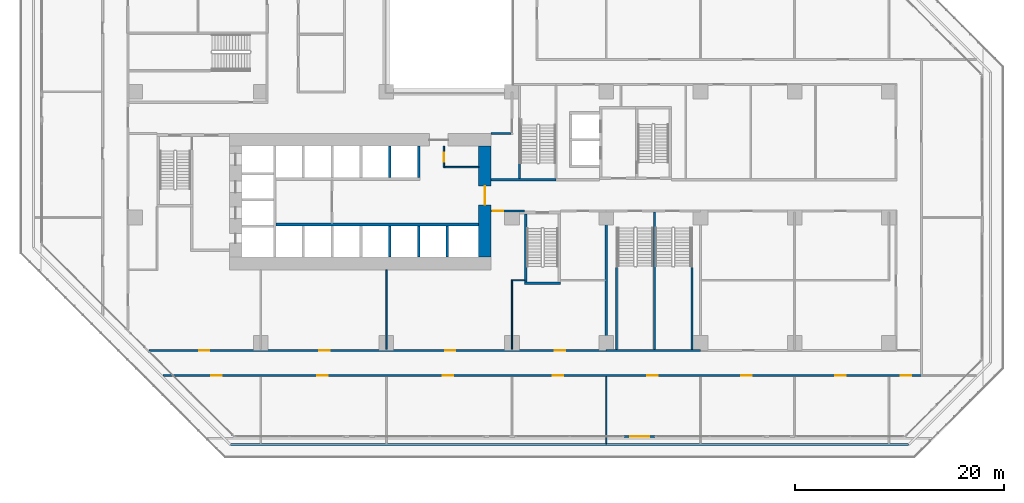
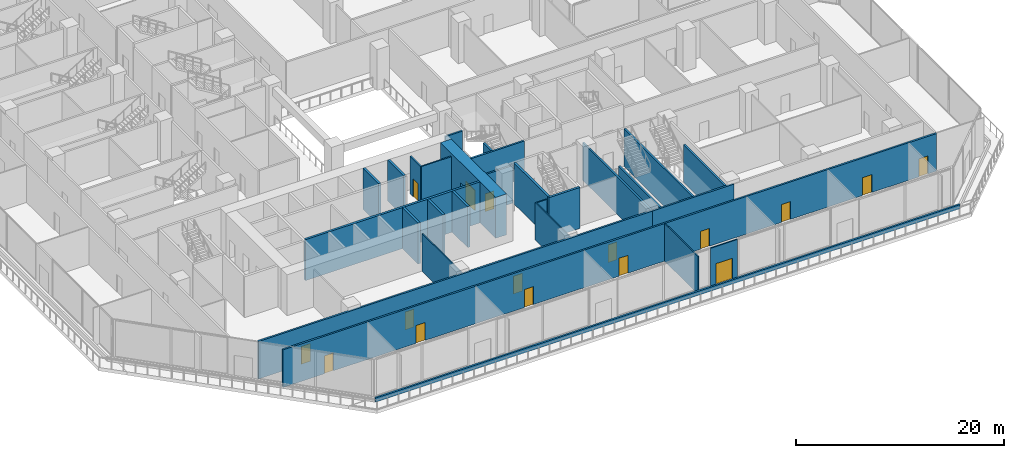
# One storey, part 13 of 26: 28 walls, 16 doors, 16 openings.
"""IFC4 building model written with IfcOpenShell, lengths in metres."""

from ifc_helpers import new_model, si_unit, direction, frame, frame_2d, origin, place, context, subcontext, project, spatial, rectangle, extrude, material, layer, layer_set, type_object, element, fill, save


model = new_model("IFC4")

# Units and contexts
model_context = context("Model", 3, precision=1e-05, world=origin(), true_north=direction((0.0, 1.0)))
body_context = subcontext(model_context, "Body", "Model", "MODEL_VIEW")
ifc_project = project(units=[si_unit("LENGTHUNIT", "METRE"), si_unit("AREAUNIT", "SQUARE_METRE"), si_unit("VOLUMEUNIT", "CUBIC_METRE"), si_unit("PLANEANGLEUNIT", "RADIAN"), si_unit("MASSUNIT", "GRAM", prefix="KILO")], contexts=[model_context])

# Site, building, storey
site_placement = place(None, origin())
site = spatial("IfcSite", under=ifc_project, at=site_placement, CompositionType="ELEMENT")
building_placement = place(site_placement, origin())
building = spatial("IfcBuilding", under=site, at=building_placement, Name="Chenar Terraces", CompositionType="ELEMENT")
storey_placement = place(building_placement, frame((0.0, 0.0, 16.800048828125)))
storey = spatial("IfcBuildingStorey", under=building, at=storey_placement, Name="L03", CompositionType="ELEMENT", Elevation=16.800048828125)

# Walls
ifc_material_1 = material(Name="Gypsum board on steel studs with mineral wool", Category="steel")
ifc_layer_1 = layer(ifc_material_1, 0.125)
ifc_layer_set_1 = layer_set([ifc_layer_1], Name="Gypsum board on steel studs with mineral wool")
wall_type_1 = type_object("IfcWallType", Name="Acoustic partition 125", PredefinedType="PARTITIONING", material=ifc_layer_set_1)
wall_1_placement = place(storey_placement, frame((24.0, -0.60009765625, 0.0), z_axis=(0.0, 0.0, 1.0), x_axis=(0.0, 1.0, 0.0)))
element("IfcWall", 1, at=wall_1_placement, inside=storey, type_object=wall_type_1, Name="Partition L03-066", PredefinedType="PARTITIONING", context=body_context, shape_type="SweptSolid", body=[
    extrude(rectangle(XDim=7.60009765625, YDim=0.125, at=frame_2d((3.800048828125, 0.0))), origin(), (0.0, 0.0, 1.0), 4.39990234375),
])
wall_2_placement = place(storey_placement, frame((36.0, -0.60009765625, 0.0), z_axis=(0.0, 0.0, 1.0), x_axis=(0.0, 1.0, 0.0)))
element("IfcWall", 2, at=wall_2_placement, inside=storey, type_object=wall_type_1, Name="Partition L03-077", PredefinedType="PARTITIONING", context=body_context, shape_type="SweptSolid", body=[
    extrude(rectangle(XDim=6.662109375, YDim=0.125, at=frame_2d((3.3310546875, 0.0))), origin(), (0.0, 0.0, 1.0), 4.39990234375),
])
wall_3_placement = place(storey_placement, frame((36.06201171875, 6.0, 0.0), z_axis=(0.0, 0.0, 1.0), x_axis=(1.0, 0.0, 0.0)))
element("IfcWall", 3, at=wall_3_placement, inside=storey, type_object=wall_type_1, Name="Partition L03-082", PredefinedType="PARTITIONING", context=body_context, shape_type="SweptSolid", body=[
    extrude(rectangle(XDim=1.137939453125, YDim=0.125, at=frame_2d((0.56884765625, 0.0))), origin(), (0.0, 0.0, 1.0), 4.39990234375),
])
wall_4_placement = place(storey_placement, frame((45.0, -9.60009765625, 0.0), z_axis=(0.0, 0.0, 1.0), x_axis=(0.0, 1.0, 0.0)))
element("IfcWall", 4, at=wall_4_placement, inside=storey, type_object=wall_type_1, Name="Partition L03-091", PredefinedType="PARTITIONING", context=body_context, shape_type="SweptSolid", body=[
    extrude(rectangle(XDim=6.400146484375, YDim=0.125, at=frame_2d((3.2001953125, 0.0))), origin(), (0.0, 0.0, 1.0), 4.39990234375),
])

# Wall, opening, door
ifc_material_2 = material(Name="Gypsum board on steel studs", Category="steel")
ifc_layer_2 = layer(ifc_material_2, 0.14990234375)
ifc_layer_set_2 = layer_set([ifc_layer_2], Name="Gypsum board on steel studs")
wall_type_2 = type_object("IfcWallType", Name="Core partition 150 gypsum board", PredefinedType="PARTITIONING", material=ifc_layer_set_2)
wall_5_placement = place(storey_placement, frame((29.5, 16.800048828125, 0.0), z_axis=(0.0, 0.0, 1.0), x_axis=(0.0, 1.0, 0.0)))
wall_5 = element("IfcWall", 5, at=wall_5_placement, inside=storey, type_object=wall_type_2, Name="Core partition CP1 vestibule room west wall", PredefinedType="PARTITIONING", context=body_context, shape_type="SweptSolid", body=[
    extrude(rectangle(XDim=2.0, YDim=0.14990234375, at=frame_2d((1.0, 0.0))), origin(), (0.0, 0.0, 1.0), 4.39990234375),
])
opening_1_placement = place(wall_5_placement, frame((0.5, 0.0, 0.0)))
opening_1 = element("IfcOpeningElement", 6, at=opening_1_placement, cuts=wall_5, Name="Opening DL03-C13", PredefinedType="OPENING", context=body_context, shape_type="SweptSolid", body=[
    extrude(rectangle(XDim=0.89990234375, YDim=2.10009765625, at=frame_2d((0.449951171875, 1.050048828125))), frame((0.0, 0.0849609375, 0.0), z_axis=(0.0, -1.0, 0.0), x_axis=(1.0, 0.0, 0.0)), (0.0, 0.0, 1.0), 0.169921875),
])
ifc_material_3 = material(Name="Steel-framed fire-resisting door leaf", Category="steel")
door_type_1 = type_object("IfcDoorType", Name="Riser fire door FD60 900 x 2100", OperationType="SINGLE_SWING_LEFT", PredefinedType="DOOR", material=ifc_material_3)
door_1_placement = place(opening_1_placement, frame((0.89990234375, 0.0, 0.0), z_axis=(0.0, 0.0, 1.0), x_axis=(-1.0, 0.0, 0.0)))
door_1 = element("IfcDoor", 7, at=door_1_placement, inside=storey, type_object=door_type_1, Name="Core room door DL03-C13", OperationType="SINGLE_SWING_RIGHT", OverallHeight=2.10009765625, OverallWidth=0.89990234375, PredefinedType="DOOR", context=body_context, shape_type="SweptSolid", body=[
    extrude(rectangle(XDim=0.89990234375, YDim=2.10009765625, at=frame_2d((0.449951171875, 1.050048828125))), frame((0.0, 0.02490234375, 0.0), z_axis=(0.0, -1.0, 0.0), x_axis=(1.0, 0.0, 0.0)), (0.0, 0.0, 1.0), 0.050048828125),
])
fill(opening_1, door_1)

# Wall
wall_6_placement = place(storey_placement, frame((29.5, 16.800048828125, 0.0), z_axis=(0.0, 0.0, 1.0), x_axis=(1.0, 0.0, 0.0)))
element("IfcWall", 8, at=wall_6_placement, inside=storey, type_object=wall_type_2, Name="Core partition CP1 vestibule room south wall", PredefinedType="PARTITIONING", context=body_context, shape_type="SweptSolid", body=[
    extrude(rectangle(XDim=3.300048828125, YDim=0.14990234375, at=frame_2d((1.64990234375, 0.0))), origin(), (0.0, 0.0, 1.0), 4.39990234375),
])

# Wall, opening, door
ifc_material_4 = material(Name="Concrete C70/85", Category="concrete")
ifc_layer_3 = layer(ifc_material_4, 1.199951171875)
ifc_layer_set_3 = layer_set([ifc_layer_3], Name="Concrete C70/85")
wall_type_3 = type_object("IfcWallType", Name="Core wall 1200 Concrete C70/85", PredefinedType="SHEAR", material=ifc_layer_set_3)
wall_7_placement = place(storey_placement, frame((33.39990234375, 8.199951171875, 0.0), z_axis=(0.0, 0.0, 1.0), x_axis=(0.0, 1.0, 0.0)))
wall_7 = element("IfcWall", 9, at=wall_7_placement, inside=storey, type_object=wall_type_3, Name="Core wall E L03", PredefinedType="SHEAR", context=body_context, shape_type="SweptSolid", body=[
    extrude(rectangle(XDim=10.60009765625, YDim=1.199951171875, at=frame_2d((5.300048828125, 0.0))), origin(), (0.0, 0.0, 1.0), 4.800048828125),
])
opening_2_placement = place(wall_7_placement, frame((5.0, 0.0, 0.0)))
opening_2 = element("IfcOpeningElement", 10, at=opening_2_placement, cuts=wall_7, Name="Opening DL03-C1", PredefinedType="OPENING", context=body_context, shape_type="SweptSolid", body=[
    extrude(rectangle(XDim=1.800048828125, YDim=2.39990234375, at=frame_2d((0.89990234375, 1.199951171875))), frame((0.0, 0.60986328125, 0.0), z_axis=(0.0, -1.0, 0.0), x_axis=(1.0, 0.0, 0.0)), (0.0, 0.0, 1.0), 1.219970703125),
])
ifc_material_5 = material(Name="Steel-framed fire-resisting door leaf", Category="steel")
door_type_2 = type_object("IfcDoorType", Name="Core entrance double fire door FD60 1800 x 2400", OperationType="DOUBLE_DOOR_SINGLE_SWING", PredefinedType="DOOR", material=ifc_material_5)
door_2_placement = place(opening_2_placement, origin())
door_2 = element("IfcDoor", 11, at=door_2_placement, inside=storey, type_object=door_type_2, Name="Core door DL03-C1", OperationType="DOUBLE_DOOR_SINGLE_SWING", OverallHeight=2.39990234375, OverallWidth=1.800048828125, PredefinedType="DOOR", context=body_context, shape_type="SweptSolid", body=[
    extrude(rectangle(XDim=1.800048828125, YDim=2.39990234375, at=frame_2d((0.89990234375, 1.199951171875))), frame((0.0, 0.02490234375, 0.0), z_axis=(0.0, -1.0, 0.0), x_axis=(1.0, 0.0, 0.0)), (0.0, 0.0, 1.0), 0.050048828125),
])
fill(opening_2, door_2)

# Walls
ifc_material_6 = material(Name="Concrete C70/85", Category="concrete")
ifc_layer_4 = layer(ifc_material_6, 0.25)
ifc_layer_set_4 = layer_set([ifc_layer_4], Name="Concrete C70/85")
wall_type_4 = type_object("IfcWallType", Name="Core wall 250 Concrete C70/85", PredefinedType="SHEAR", material=ifc_layer_set_4)
wall_8_placement = place(storey_placement, frame((13.449951171875, 11.324951171875, 0.0), z_axis=(0.0, 0.0, 1.0), x_axis=(1.0, 0.0, 0.0)))
element("IfcWall", 12, at=wall_8_placement, inside=storey, type_object=wall_type_4, Name="Core wall SF L03", PredefinedType="SHEAR", context=body_context, shape_type="SweptSolid", body=[
    extrude(rectangle(XDim=19.35009765625, YDim=0.25, at=frame_2d((9.675048828125, 0.0))), origin(), (0.0, 0.0, 1.0), 4.800048828125),
])
for number, where, z_axis, x_axis, name in (
    (13, (24.324951171875, 8.199951171875, 0.0), (0.0, 0.0, 1.0), (0.0, 1.0, 0.0), "Core wall SS3 L03"),
    (14, (27.074951171875, 8.199951171875, 0.0), (0.0, 0.0, 1.0), (0.0, 1.0, 0.0), "Core wall SS4 L03"),
    (15, (29.824951171875, 8.199951171875, 0.0), (0.0, 0.0, 1.0), (0.0, 1.0, 0.0), "Core wall SS5 L03"),
    (16, (24.324951171875, 15.800048828125, 0.0), (0.0, 0.0, 1.0), (0.0, 1.0, 0.0), "Core wall NS3 L03"),
    (17, (27.074951171875, 15.800048828125, 0.0), (0.0, 0.0, 1.0), (0.0, 1.0, 0.0), "Core wall NE L03"),
):
    element("IfcWall", number, at=place(storey_placement, frame(where, z_axis=z_axis, x_axis=x_axis)), inside=storey, type_object=wall_type_4, Name=name, PredefinedType="SHEAR", context=body_context, shape_type="SweptSolid", body=[
        extrude(rectangle(XDim=3.0, YDim=0.25, at=frame_2d((1.5, 0.0))), origin(), (0.0, 0.0, 1.0), 4.800048828125),
    ])
wall_9_placement = place(storey_placement, frame((37.199951171875, 5.72509765625, 0.0), z_axis=(0.0, 0.0, 1.0), x_axis=(1.0, 0.0, 0.0)))
element("IfcWall", 18, at=wall_9_placement, inside=storey, type_object=wall_type_4, Name="Core wall ST2_S L03", PredefinedType="SHEAR", context=body_context, shape_type="SweptSolid", body=[
    extrude(rectangle(XDim=3.449951171875, YDim=0.25, at=frame_2d((1.72509765625, 0.0))), origin(), (0.0, 0.0, 1.0), 4.800048828125),
])
wall_10_placement = place(storey_placement, frame((37.324951171875, 5.85009765625, 0.0), z_axis=(0.0, 0.0, 1.0), x_axis=(0.0, 1.0, 0.0)))
element("IfcWall", 19, at=wall_10_placement, inside=storey, type_object=wall_type_4, Name="Core wall ST2_W L03", PredefinedType="SHEAR", context=body_context, shape_type="SweptSolid", body=[
    extrude(rectangle(XDim=6.5, YDim=0.25, at=frame_2d((3.25, 0.0))), origin(), (0.0, 0.0, 1.0), 4.800048828125),
])

# Wall, openings, doors
ifc_material_7 = material(Name="Gypsum board on steel studs with fire boards", Category="steel")
ifc_layer_5 = layer(ifc_material_7, 0.199951171875)
ifc_layer_set_5 = layer_set([ifc_layer_5], Name="Gypsum board on steel studs with fire boards")
wall_type_5 = type_object("IfcWallType", Name="Corridor wall 200", PredefinedType="PARTITIONING", material=ifc_layer_set_5)
wall_11_placement = place(storey_placement, frame((1.303955078125, -0.699951171875, 0.0), z_axis=(0.0, 0.0, 1.0), x_axis=(1.0, 0.0, 0.0)))
wall_11 = element("IfcWall", 20, at=wall_11_placement, inside=storey, type_object=wall_type_5, Name="Partition L03-030", PredefinedType="PARTITIONING", context=body_context, shape_type="SweptSolid", body=[
    extrude(rectangle(XDim=43.696044921875, YDim=0.199951171875, at=frame_2d((21.84814453125, 0.0))), origin(), (0.0, 0.0, 1.0), 4.39990234375),
])
opening_3_placement = place(wall_11_placement, frame((38.7958984375, 0.0, 0.0)))
opening_3 = element("IfcOpeningElement", 21, at=opening_3_placement, cuts=wall_11, Name="Opening DL03-9", PredefinedType="OPENING", context=body_context, shape_type="SweptSolid", body=[
    extrude(rectangle(XDim=1.0, YDim=2.10009765625, at=frame_2d((0.5, 1.050048828125))), frame((0.0, 0.10986328125, 0.0), z_axis=(0.0, -1.0, 0.0), x_axis=(1.0, 0.0, 0.0)), (0.0, 0.0, 1.0), 0.219970703125),
])
opening_4_placement = place(wall_11_placement, frame((4.7958984375, 0.0, 0.0)))
opening_4 = element("IfcOpeningElement", 22, at=opening_4_placement, cuts=wall_11, Name="Opening DL03-40", PredefinedType="OPENING", context=body_context, shape_type="SweptSolid", body=[
    extrude(rectangle(XDim=1.0, YDim=2.10009765625, at=frame_2d((0.5, 1.050048828125))), frame((0.0, 0.10986328125, 0.0), z_axis=(0.0, -1.0, 0.0), x_axis=(1.0, 0.0, 0.0)), (0.0, 0.0, 1.0), 0.219970703125),
])
opening_5_placement = place(wall_11_placement, frame((16.2958984375, 0.0, 0.0)))
opening_5 = element("IfcOpeningElement", 23, at=opening_5_placement, cuts=wall_11, Name="Opening DL03-42", PredefinedType="OPENING", context=body_context, shape_type="SweptSolid", body=[
    extrude(rectangle(XDim=1.0, YDim=2.10009765625, at=frame_2d((0.5, 1.050048828125))), frame((0.0, 0.10986328125, 0.0), z_axis=(0.0, -1.0, 0.0), x_axis=(1.0, 0.0, 0.0)), (0.0, 0.0, 1.0), 0.219970703125),
])
opening_6_placement = place(wall_11_placement, frame((28.2958984375, 0.0, 0.0)))
opening_6 = element("IfcOpeningElement", 24, at=opening_6_placement, cuts=wall_11, Name="Opening DL03-43", PredefinedType="OPENING", context=body_context, shape_type="SweptSolid", body=[
    extrude(rectangle(XDim=1.0, YDim=2.10009765625, at=frame_2d((0.5, 1.050048828125))), frame((0.0, 0.10986328125, 0.0), z_axis=(0.0, -1.0, 0.0), x_axis=(1.0, 0.0, 0.0)), (0.0, 0.0, 1.0), 0.219970703125),
])
ifc_material_8 = material(Name="Steel-framed fire-resisting door leaf", Category="steel")
door_type_3 = type_object("IfcDoorType", Name="Fire door FD60 1000 x 2100", OperationType="SINGLE_SWING_LEFT", PredefinedType="DOOR", material=ifc_material_8)
door_3_placement = place(opening_3_placement, origin())
door_3 = element("IfcDoor", 25, at=door_3_placement, inside=storey, type_object=door_type_3, Name="Door DL03-9", OperationType="SINGLE_SWING_RIGHT", OverallHeight=2.10009765625, OverallWidth=1.0, PredefinedType="DOOR", context=body_context, shape_type="SweptSolid", body=[
    extrude(rectangle(XDim=1.0, YDim=2.10009765625, at=frame_2d((0.5, 1.050048828125))), frame((0.0, 0.02490234375, 0.0), z_axis=(0.0, -1.0, 0.0), x_axis=(1.0, 0.0, 0.0)), (0.0, 0.0, 1.0), 0.050048828125),
])
fill(opening_3, door_3)
door_4_placement = place(opening_4_placement, origin())
door_4 = element("IfcDoor", 26, at=door_4_placement, inside=storey, type_object=door_type_3, Name="Door DL03-40", OperationType="SINGLE_SWING_RIGHT", OverallHeight=2.10009765625, OverallWidth=1.0, PredefinedType="DOOR", context=body_context, shape_type="SweptSolid", body=[
    extrude(rectangle(XDim=1.0, YDim=2.10009765625, at=frame_2d((0.5, 1.050048828125))), frame((0.0, 0.02490234375, 0.0), z_axis=(0.0, -1.0, 0.0), x_axis=(1.0, 0.0, 0.0)), (0.0, 0.0, 1.0), 0.050048828125),
])
fill(opening_4, door_4)
door_5_placement = place(opening_5_placement, origin())
door_5 = element("IfcDoor", 27, at=door_5_placement, inside=storey, type_object=door_type_3, Name="Door DL03-42", OperationType="SINGLE_SWING_LEFT", OverallHeight=2.10009765625, OverallWidth=1.0, PredefinedType="DOOR", context=body_context, shape_type="SweptSolid", body=[
    extrude(rectangle(XDim=1.0, YDim=2.10009765625, at=frame_2d((0.5, 1.050048828125))), frame((0.0, 0.02490234375, 0.0), z_axis=(0.0, -1.0, 0.0), x_axis=(1.0, 0.0, 0.0)), (0.0, 0.0, 1.0), 0.050048828125),
])
fill(opening_5, door_5)
door_6_placement = place(opening_6_placement, origin())
door_6 = element("IfcDoor", 28, at=door_6_placement, inside=storey, type_object=door_type_3, Name="Door DL03-43", OperationType="SINGLE_SWING_LEFT", OverallHeight=2.10009765625, OverallWidth=1.0, PredefinedType="DOOR", context=body_context, shape_type="SweptSolid", body=[
    extrude(rectangle(XDim=1.0, YDim=2.10009765625, at=frame_2d((0.5, 1.050048828125))), frame((0.0, 0.02490234375, 0.0), z_axis=(0.0, -1.0, 0.0), x_axis=(1.0, 0.0, 0.0)), (0.0, 0.0, 1.0), 0.050048828125),
])
fill(opening_6, door_6)

wall_12_placement = place(storey_placement, frame((2.64501953125, -3.10009765625, 0.0), z_axis=(0.0, 0.0, 1.0), x_axis=(1.0, 0.0, 0.0)))
wall_12 = element("IfcWall", 29, at=wall_12_placement, inside=storey, type_object=wall_type_5, Name="Partition L03-032", PredefinedType="PARTITIONING", context=body_context, shape_type="SweptSolid", body=[
    extrude(rectangle(XDim=72.455078125, YDim=0.199951171875, at=frame_2d((36.2275390625, 0.0))), origin(), (0.0, 0.0, 1.0), 4.39990234375),
])
opening_7_placement = place(wall_12_placement, frame((4.60400390625, 0.0, 0.0)))
opening_7 = element("IfcOpeningElement", 30, at=opening_7_placement, cuts=wall_12, Name="Opening DL03-49", PredefinedType="OPENING", context=body_context, shape_type="SweptSolid", body=[
    extrude(rectangle(XDim=1.0, YDim=2.10009765625, at=frame_2d((0.5, 1.050048828125))), frame((0.0, 0.10986328125, 0.0), z_axis=(0.0, -1.0, 0.0), x_axis=(1.0, 0.0, 0.0)), (0.0, 0.0, 1.0), 0.219970703125),
])
opening_8_placement = place(wall_12_placement, frame((14.7548828125, 0.0, 0.0)))
opening_8 = element("IfcOpeningElement", 31, at=opening_8_placement, cuts=wall_12, Name="Opening DL03-50", PredefinedType="OPENING", context=body_context, shape_type="SweptSolid", body=[
    extrude(rectangle(XDim=1.0, YDim=2.10009765625, at=frame_2d((0.5, 1.050048828125))), frame((0.0, 0.10986328125, 0.0), z_axis=(0.0, -1.0, 0.0), x_axis=(1.0, 0.0, 0.0)), (0.0, 0.0, 1.0), 0.219970703125),
])
opening_9_placement = place(wall_12_placement, frame((26.7548828125, 0.0, 0.0)))
opening_9 = element("IfcOpeningElement", 32, at=opening_9_placement, cuts=wall_12, Name="Opening DL03-51", PredefinedType="OPENING", context=body_context, shape_type="SweptSolid", body=[
    extrude(rectangle(XDim=1.0, YDim=2.10009765625, at=frame_2d((0.5, 1.050048828125))), frame((0.0, 0.10986328125, 0.0), z_axis=(0.0, -1.0, 0.0), x_axis=(1.0, 0.0, 0.0)), (0.0, 0.0, 1.0), 0.219970703125),
])
opening_10_placement = place(wall_12_placement, frame((37.2548828125, 0.0, 0.0)))
opening_10 = element("IfcOpeningElement", 33, at=opening_10_placement, cuts=wall_12, Name="Opening DL03-52", PredefinedType="OPENING", context=body_context, shape_type="SweptSolid", body=[
    extrude(rectangle(XDim=1.0, YDim=2.10009765625, at=frame_2d((0.5, 1.050048828125))), frame((0.0, 0.10986328125, 0.0), z_axis=(0.0, -1.0, 0.0), x_axis=(1.0, 0.0, 0.0)), (0.0, 0.0, 1.0), 0.219970703125),
])
opening_11_placement = place(wall_12_placement, frame((46.2548828125, 0.0, 0.0)))
opening_11 = element("IfcOpeningElement", 34, at=opening_11_placement, cuts=wall_12, Name="Opening DL03-53", PredefinedType="OPENING", context=body_context, shape_type="SweptSolid", body=[
    extrude(rectangle(XDim=1.0, YDim=2.10009765625, at=frame_2d((0.5, 1.050048828125))), frame((0.0, 0.10986328125, 0.0), z_axis=(0.0, -1.0, 0.0), x_axis=(1.0, 0.0, 0.0)), (0.0, 0.0, 1.0), 0.219970703125),
])
opening_12_placement = place(wall_12_placement, frame((55.2548828125, 0.0, 0.0)))
opening_12 = element("IfcOpeningElement", 35, at=opening_12_placement, cuts=wall_12, Name="Opening DL03-54", PredefinedType="OPENING", context=body_context, shape_type="SweptSolid", body=[
    extrude(rectangle(XDim=1.0, YDim=2.10009765625, at=frame_2d((0.5, 1.050048828125))), frame((0.0, 0.10986328125, 0.0), z_axis=(0.0, -1.0, 0.0), x_axis=(1.0, 0.0, 0.0)), (0.0, 0.0, 1.0), 0.219970703125),
])
opening_13_placement = place(wall_12_placement, frame((64.2548828125, 0.0, 0.0)))
opening_13 = element("IfcOpeningElement", 36, at=opening_13_placement, cuts=wall_12, Name="Opening DL03-55", PredefinedType="OPENING", context=body_context, shape_type="SweptSolid", body=[
    extrude(rectangle(XDim=1.0, YDim=2.10009765625, at=frame_2d((0.5, 1.050048828125))), frame((0.0, 0.10986328125, 0.0), z_axis=(0.0, -1.0, 0.0), x_axis=(1.0, 0.0, 0.0)), (0.0, 0.0, 1.0), 0.219970703125),
])
opening_14_placement = place(wall_12_placement, frame((70.5048828125, 0.0, 0.0)))
opening_14 = element("IfcOpeningElement", 37, at=opening_14_placement, cuts=wall_12, Name="Opening DL03-56", PredefinedType="OPENING", context=body_context, shape_type="SweptSolid", body=[
    extrude(rectangle(XDim=1.0, YDim=2.10009765625, at=frame_2d((0.5, 1.050048828125))), frame((0.0, 0.10986328125, 0.0), z_axis=(0.0, -1.0, 0.0), x_axis=(1.0, 0.0, 0.0)), (0.0, 0.0, 1.0), 0.219970703125),
])
door_7_placement = place(opening_7_placement, frame((1.0, 0.0, 0.0), z_axis=(0.0, 0.0, 1.0), x_axis=(-1.0, 0.0, 0.0)))
door_7 = element("IfcDoor", 38, at=door_7_placement, inside=storey, type_object=door_type_3, Name="Door DL03-49", OperationType="SINGLE_SWING_LEFT", OverallHeight=2.10009765625, OverallWidth=1.0, PredefinedType="DOOR", context=body_context, shape_type="SweptSolid", body=[
    extrude(rectangle(XDim=1.0, YDim=2.10009765625, at=frame_2d((0.5, 1.050048828125))), frame((0.0, 0.02490234375, 0.0), z_axis=(0.0, -1.0, 0.0), x_axis=(1.0, 0.0, 0.0)), (0.0, 0.0, 1.0), 0.050048828125),
])
fill(opening_7, door_7)
door_8_placement = place(opening_8_placement, frame((1.0, 0.0, 0.0), z_axis=(0.0, 0.0, 1.0), x_axis=(-1.0, 0.0, 0.0)))
door_8 = element("IfcDoor", 39, at=door_8_placement, inside=storey, type_object=door_type_3, Name="Door DL03-50", OperationType="SINGLE_SWING_LEFT", OverallHeight=2.10009765625, OverallWidth=1.0, PredefinedType="DOOR", context=body_context, shape_type="SweptSolid", body=[
    extrude(rectangle(XDim=1.0, YDim=2.10009765625, at=frame_2d((0.5, 1.050048828125))), frame((0.0, 0.02490234375, 0.0), z_axis=(0.0, -1.0, 0.0), x_axis=(1.0, 0.0, 0.0)), (0.0, 0.0, 1.0), 0.050048828125),
])
fill(opening_8, door_8)
door_9_placement = place(opening_9_placement, frame((1.0, 0.0, 0.0), z_axis=(0.0, 0.0, 1.0), x_axis=(-1.0, 0.0, 0.0)))
door_9 = element("IfcDoor", 40, at=door_9_placement, inside=storey, type_object=door_type_3, Name="Door DL03-51", OperationType="SINGLE_SWING_LEFT", OverallHeight=2.10009765625, OverallWidth=1.0, PredefinedType="DOOR", context=body_context, shape_type="SweptSolid", body=[
    extrude(rectangle(XDim=1.0, YDim=2.10009765625, at=frame_2d((0.5, 1.050048828125))), frame((0.0, 0.02490234375, 0.0), z_axis=(0.0, -1.0, 0.0), x_axis=(1.0, 0.0, 0.0)), (0.0, 0.0, 1.0), 0.050048828125),
])
fill(opening_9, door_9)
door_10_placement = place(opening_10_placement, frame((1.0, 0.0, 0.0), z_axis=(0.0, 0.0, 1.0), x_axis=(-1.0, 0.0, 0.0)))
door_10 = element("IfcDoor", 41, at=door_10_placement, inside=storey, type_object=door_type_3, Name="Door DL03-52", OperationType="SINGLE_SWING_RIGHT", OverallHeight=2.10009765625, OverallWidth=1.0, PredefinedType="DOOR", context=body_context, shape_type="SweptSolid", body=[
    extrude(rectangle(XDim=1.0, YDim=2.10009765625, at=frame_2d((0.5, 1.050048828125))), frame((0.0, 0.02490234375, 0.0), z_axis=(0.0, -1.0, 0.0), x_axis=(1.0, 0.0, 0.0)), (0.0, 0.0, 1.0), 0.050048828125),
])
fill(opening_10, door_10)
door_11_placement = place(opening_11_placement, frame((1.0, 0.0, 0.0), z_axis=(0.0, 0.0, 1.0), x_axis=(-1.0, 0.0, 0.0)))
door_11 = element("IfcDoor", 42, at=door_11_placement, inside=storey, type_object=door_type_3, Name="Door DL03-53", OperationType="SINGLE_SWING_RIGHT", OverallHeight=2.10009765625, OverallWidth=1.0, PredefinedType="DOOR", context=body_context, shape_type="SweptSolid", body=[
    extrude(rectangle(XDim=1.0, YDim=2.10009765625, at=frame_2d((0.5, 1.050048828125))), frame((0.0, 0.02490234375, 0.0), z_axis=(0.0, -1.0, 0.0), x_axis=(1.0, 0.0, 0.0)), (0.0, 0.0, 1.0), 0.050048828125),
])
fill(opening_11, door_11)
door_12_placement = place(opening_12_placement, frame((1.0, 0.0, 0.0), z_axis=(0.0, 0.0, 1.0), x_axis=(-1.0, 0.0, 0.0)))
door_12 = element("IfcDoor", 43, at=door_12_placement, inside=storey, type_object=door_type_3, Name="Door DL03-54", OperationType="SINGLE_SWING_RIGHT", OverallHeight=2.10009765625, OverallWidth=1.0, PredefinedType="DOOR", context=body_context, shape_type="SweptSolid", body=[
    extrude(rectangle(XDim=1.0, YDim=2.10009765625, at=frame_2d((0.5, 1.050048828125))), frame((0.0, 0.02490234375, 0.0), z_axis=(0.0, -1.0, 0.0), x_axis=(1.0, 0.0, 0.0)), (0.0, 0.0, 1.0), 0.050048828125),
])
fill(opening_12, door_12)
door_13_placement = place(opening_13_placement, frame((1.0, 0.0, 0.0), z_axis=(0.0, 0.0, 1.0), x_axis=(-1.0, 0.0, 0.0)))
door_13 = element("IfcDoor", 44, at=door_13_placement, inside=storey, type_object=door_type_3, Name="Door DL03-55", OperationType="SINGLE_SWING_RIGHT", OverallHeight=2.10009765625, OverallWidth=1.0, PredefinedType="DOOR", context=body_context, shape_type="SweptSolid", body=[
    extrude(rectangle(XDim=1.0, YDim=2.10009765625, at=frame_2d((0.5, 1.050048828125))), frame((0.0, 0.02490234375, 0.0), z_axis=(0.0, -1.0, 0.0), x_axis=(1.0, 0.0, 0.0)), (0.0, 0.0, 1.0), 0.050048828125),
])
fill(opening_13, door_13)
door_14_placement = place(opening_14_placement, frame((1.0, 0.0, 0.0), z_axis=(0.0, 0.0, 1.0), x_axis=(-1.0, 0.0, 0.0)))
door_14 = element("IfcDoor", 45, at=door_14_placement, inside=storey, type_object=door_type_3, Name="Door DL03-56", OperationType="SINGLE_SWING_RIGHT", OverallHeight=2.10009765625, OverallWidth=1.0, PredefinedType="DOOR", context=body_context, shape_type="SweptSolid", body=[
    extrude(rectangle(XDim=1.0, YDim=2.10009765625, at=frame_2d((0.5, 1.050048828125))), frame((0.0, 0.02490234375, 0.0), z_axis=(0.0, -1.0, 0.0), x_axis=(1.0, 0.0, 0.0)), (0.0, 0.0, 1.0), 0.050048828125),
])
fill(opening_14, door_14)

# Wall, opening, door
wall_13_placement = place(storey_placement, frame((34.0, 12.60009765625, 0.0), z_axis=(0.0, 0.0, 1.0), x_axis=(1.0, 0.0, 0.0)))
wall_13 = element("IfcWall", 46, at=wall_13_placement, inside=storey, type_object=wall_type_5, Name="Partition L03-073", PredefinedType="PARTITIONING", context=body_context, shape_type="SweptSolid", body=[
    extrude(rectangle(XDim=3.199951171875, YDim=0.199951171875, at=frame_2d((1.60009765625, 0.0))), origin(), (0.0, 0.0, 1.0), 4.39990234375),
])
opening_15_placement = place(wall_13_placement, frame((0.14990234375, 0.0, 0.0)))
opening_15 = element("IfcOpeningElement", 47, at=opening_15_placement, cuts=wall_13, Name="Opening DL03-44", PredefinedType="OPENING", context=body_context, shape_type="SweptSolid", body=[
    extrude(rectangle(XDim=1.0, YDim=2.10009765625, at=frame_2d((0.5, 1.050048828125))), frame((0.0, 0.10986328125, 0.0), z_axis=(0.0, -1.0, 0.0), x_axis=(1.0, 0.0, 0.0)), (0.0, 0.0, 1.0), 0.219970703125),
])
door_15_placement = place(opening_15_placement, frame((1.0, 0.0, 0.0), z_axis=(0.0, 0.0, 1.0), x_axis=(-1.0, 0.0, 0.0)))
door_15 = element("IfcDoor", 48, at=door_15_placement, inside=storey, type_object=door_type_3, Name="Door DL03-44", OperationType="SINGLE_SWING_LEFT", OverallHeight=2.10009765625, OverallWidth=1.0, PredefinedType="DOOR", context=body_context, shape_type="SweptSolid", body=[
    extrude(rectangle(XDim=1.0, YDim=2.10009765625, at=frame_2d((0.5, 1.050048828125))), frame((0.0, 0.02490234375, 0.0), z_axis=(0.0, -1.0, 0.0), x_axis=(1.0, 0.0, 0.0)), (0.0, 0.0, 1.0), 0.050048828125),
])
fill(opening_15, door_15)

ifc_material_9 = material(Name="Aluminium framed glazing", Category="aluminium")
ifc_layer_6 = layer(ifc_material_9, 0.14990234375)
ifc_layer_set_6 = layer_set([ifc_layer_6], Name="Aluminium framed glazing")
wall_type_6 = type_object("IfcWallType", Name="Podium glazed wall 150", PredefinedType="SOLIDWALL", material=ifc_layer_set_6)
wall_14_placement = place(storey_placement, frame((46.69140625, -8.925048828125, 0.0), z_axis=(0.0, 0.0, 1.0), x_axis=(1.0, 0.0, 0.0)))
wall_14 = element("IfcWall", 49, at=wall_14_placement, inside=storey, type_object=wall_type_6, Name="Podium glazed wall", PredefinedType="SOLIDWALL", context=body_context, shape_type="SweptSolid", body=[
    extrude(rectangle(XDim=3.0, YDim=0.14990234375, at=frame_2d((1.5, 0.0))), origin(), (0.0, 0.0, 1.0), 4.39990234375),
])
opening_16_placement = place(wall_14_placement, frame((0.60009765625, 0.0, 0.0)))
opening_16 = element("IfcOpeningElement", 50, at=opening_16_placement, cuts=wall_14, Name="Opening DL03-T3", PredefinedType="OPENING", context=body_context, shape_type="SweptSolid", body=[
    extrude(rectangle(XDim=1.800048828125, YDim=2.39990234375, at=frame_2d((0.89990234375, 1.199951171875))), frame((0.0, 0.0849609375, 0.0), z_axis=(0.0, -1.0, 0.0), x_axis=(1.0, 0.0, 0.0)), (0.0, 0.0, 1.0), 0.169921875),
])
ifc_material_10 = material(Name="Low emissivity double glazing, aluminium frame", Category="aluminium")
door_type_4 = type_object("IfcDoorType", Name="Terrace glazed double door 1800 x 2400", OperationType="DOUBLE_DOOR_SINGLE_SWING", PredefinedType="DOOR", material=ifc_material_10)
door_16_placement = place(opening_16_placement, origin())
door_16 = element("IfcDoor", 51, at=door_16_placement, inside=storey, type_object=door_type_4, Name="Terrace glazed door", OperationType="DOUBLE_DOOR_SINGLE_SWING", OverallHeight=2.39990234375, OverallWidth=1.800048828125, PredefinedType="DOOR", context=body_context, shape_type="SweptSolid", body=[
    extrude(rectangle(XDim=1.800048828125, YDim=2.39990234375, at=frame_2d((0.89990234375, 1.199951171875))), frame((0.0, 0.02490234375, 0.0), z_axis=(0.0, -1.0, 0.0), x_axis=(1.0, 0.0, 0.0)), (0.0, 0.0, 1.0), 0.050048828125),
])
fill(opening_16, door_16)

# Walls
ifc_material_11 = material(Name="Reinforced concrete C40/50", Category="concrete")
ifc_layer_7 = layer(ifc_material_11, 0.199951171875)
ifc_layer_set_7 = layer_set([ifc_layer_7], Name="Reinforced concrete C40/50")
wall_type_7 = type_object("IfcWallType", Name="Stair enclosure wall 200 concrete", PredefinedType="SOLIDWALL", material=ifc_layer_set_7)
wall_15_placement = place(storey_placement, frame((34.0, 15.60009765625, 0.0), z_axis=(0.0, 0.0, 1.0), x_axis=(1.0, 0.0, 0.0)))
element("IfcWall", 52, at=wall_15_placement, inside=storey, type_object=wall_type_7, Name="Stair enclosure wall L03-074", PredefinedType="SOLIDWALL", context=body_context, shape_type="SweptSolid", body=[
    extrude(rectangle(XDim=6.199951171875, YDim=0.199951171875, at=frame_2d((3.10009765625, 0.0))), origin(), (0.0, 0.0, 1.0), 4.39990234375),
])
wall_16_placement = place(storey_placement, frame((34.0, 20.0, 0.0), z_axis=(0.0, 0.0, 1.0), x_axis=(1.0, 0.0, 0.0)))
element("IfcWall", 53, at=wall_16_placement, inside=storey, type_object=wall_type_7, Name="Stair enclosure wall L03-075", PredefinedType="SOLIDWALL", context=body_context, shape_type="SweptSolid", body=[
    extrude(rectangle(XDim=1.89990234375, YDim=0.199951171875, at=frame_2d((0.949951171875, 0.0))), origin(), (0.0, 0.0, 1.0), 4.39990234375),
])
wall_17_placement = place(storey_placement, frame((45.0, -0.699951171875, 0.0), z_axis=(0.0, 0.0, 1.0), x_axis=(1.0, 0.0, 0.0)))
element("IfcWall", 54, at=wall_17_placement, inside=storey, type_object=wall_type_7, Name="Stair enclosure wall L03-092", PredefinedType="SOLIDWALL", context=body_context, shape_type="SweptSolid", body=[
    extrude(rectangle(XDim=9.0, YDim=0.199951171875, at=frame_2d((4.5, 0.0))), origin(), (0.0, 0.0, 1.0), 4.39990234375),
])
for number, where, z_axis, x_axis, name in (
    (55, (45.0, -0.60009765625, 0.0), (0.0, 0.0, 1.0), (0.0, 1.0, 0.0), "Stair enclosure wall L03-093"),
    (56, (49.60009765625, -0.60009765625, 0.0), (0.0, 0.0, 1.0), (0.0, 1.0, 0.0), "Stair enclosure wall L03-098"),
):
    element("IfcWall", number, at=place(storey_placement, frame(where, z_axis=z_axis, x_axis=x_axis)), inside=storey, type_object=wall_type_7, Name=name, PredefinedType="SOLIDWALL", context=body_context, shape_type="SweptSolid", body=[
        extrude(rectangle(XDim=13.10009765625, YDim=0.199951171875, at=frame_2d((6.550048828125, 0.0))), origin(), (0.0, 0.0, 1.0), 4.39990234375),
    ])
wall_18_placement = place(storey_placement, frame((36.715087890625, 15.699951171875, 0.0), z_axis=(0.0, 0.0, 1.0), x_axis=(0.0, 1.0, 0.0)))
element("IfcWall", 57, at=wall_18_placement, inside=storey, type_object=wall_type_7, Name="Stair enclosure wall L03-PS1-009", PredefinedType="SOLIDWALL", context=body_context, shape_type="SweptSolid", body=[
    extrude(rectangle(XDim=1.5, YDim=0.199951171875, at=frame_2d((0.75, 0.0))), origin(), (0.0, 0.0, 1.0), 4.39990234375),
])
for number, where, z_axis, x_axis, name in (
    (58, (53.199951171875, -0.60009765625, 0.0), (0.0, 0.0, 1.0), (0.0, 1.0, 0.0), "Stair enclosure wall L03-PS2-016"),
    (59, (46.0, -0.60009765625, 0.0), (0.0, 0.0, 1.0), (0.0, 1.0, 0.0), "Stair enclosure wall L03-PS6-037"),
):
    element("IfcWall", number, at=place(storey_placement, frame(where, z_axis=z_axis, x_axis=x_axis)), inside=storey, type_object=wall_type_7, Name=name, PredefinedType="SOLIDWALL", context=body_context, shape_type="SweptSolid", body=[
        extrude(rectangle(XDim=7.945068359375, YDim=0.199951171875, at=frame_2d((3.97265625, 0.0))), origin(), (0.0, 0.0, 1.0), 4.39990234375),
    ])
ifc_material_12 = material(Name="Terracotta cladding on insulated backing", Category="masonry")
ifc_layer_8 = layer(ifc_material_12, 0.199951171875)
ifc_layer_set_8 = layer_set([ifc_layer_8], Name="Terracotta cladding on insulated backing")
wall_type_8 = type_object("IfcWallType", Name="Terrace parapet upstand 200", PredefinedType="PARAPET", material=ifc_layer_set_8)
wall_19_placement = place(storey_placement, frame((73.896484375, -9.699951171875, 0.0), z_axis=(0.0, 0.0, 1.0), x_axis=(-1.0, 0.0, 0.0)))
element("IfcWall", 60, at=wall_19_placement, inside=storey, type_object=wall_type_8, Name="Terrace parapet", PredefinedType="PARAPET", context=body_context, shape_type="SweptSolid", body=[
    extrude(rectangle(XDim=64.79296875, YDim=0.199951171875, at=frame_2d((32.396484375, 0.0))), origin(), (0.0, 0.0, 1.0), 0.5),
])

save(model, "model.ifc")
